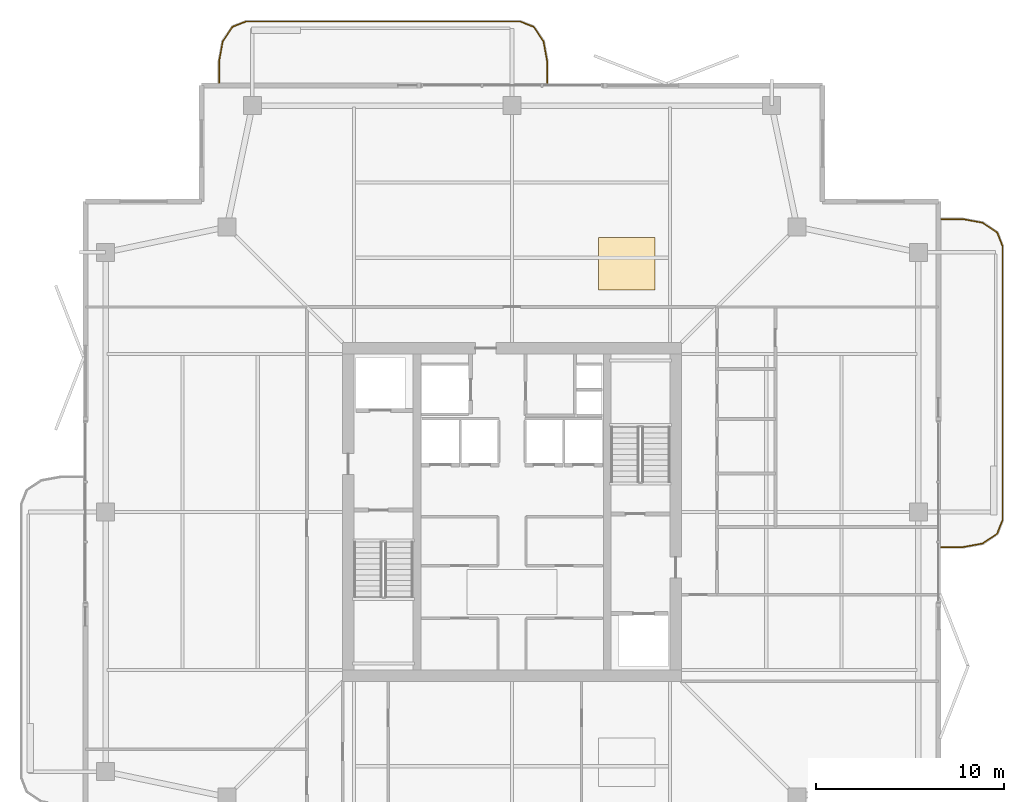
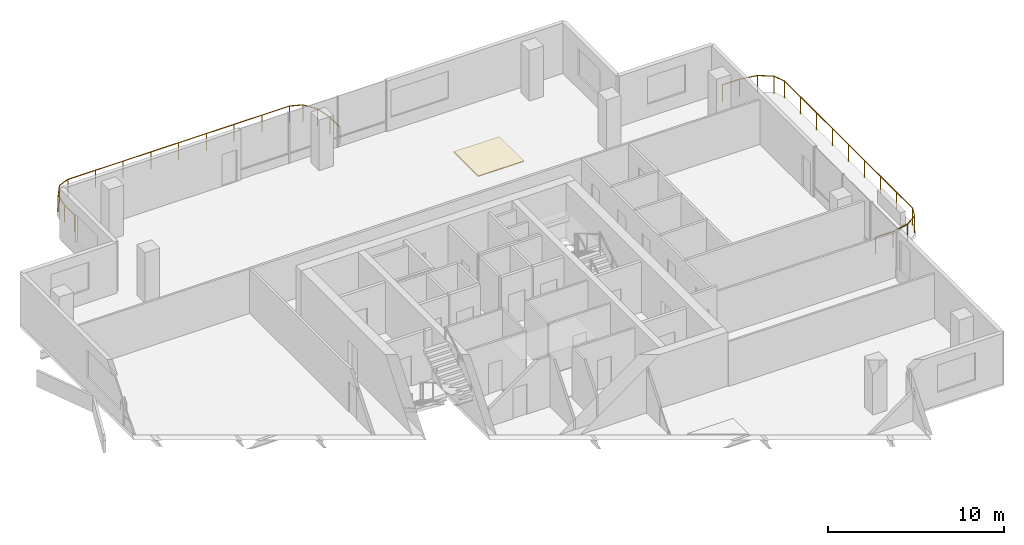
# One storey, part 18 of 18: 2 railings, 1 covering.
"""IFC4 building model written with IfcOpenShell, lengths in metres."""

import ifcopenshell
import ifcopenshell.guid

model = None  # the IFC model being written
_history = None  # IfcOwnerHistory: only IFC2X3 demands one
_inside = {}  # id of a spatial element -> (the spatial element, [elements in it])
_under = {}  # id of a project, library or spatial element -> (it, [spatial elements below it])
_declared = {}  # id of a project -> (the project, [libraries it declares])
_typed = {}  # id of a type object -> (the type object, [elements of that type])
_made_of = {}  # id of a material, layer set ... -> (it, [elements and type objects made of it])


def new_model(schema):
    """Start an empty IFC model of exactly this schema.

    Asked for "IFC4X3", IfcOpenShell would pick the latest addendum, in which some entities
    have other attributes; the version numbers below select the first issue.
    IFC2X3 requires an IfcOwnerHistory on every rooted entity: one is made here for all.
    """
    global model, _history
    if schema == "IFC4X3":
        model = ifcopenshell.file(schema_version=(4, 3, 0, 0))
    else:
        model = ifcopenshell.file(schema=schema)
    _inside.clear()
    _under.clear()
    _declared.clear()
    _typed.clear()
    _made_of.clear()
    _history = None
    if model.schema == "IFC2X3":
        org = make("IfcOrganization", Name="unknown")
        user = make(
            "IfcPersonAndOrganization",
            ThePerson=make("IfcPerson", FamilyName="unknown"),
            TheOrganization=org,
        )
        app = make(
            "IfcApplication",
            ApplicationDeveloper=org,
            Version="unknown",
            ApplicationFullName="unknown",
            ApplicationIdentifier="unknown",
        )
        _history = make(
            "IfcOwnerHistory",
            OwningUser=user,
            OwningApplication=app,
            ChangeAction="ADDED",
            CreationDate=0,
        )
    return model


def make(cls, **values):
    """One entity of the class cls with the attributes given. An attribute that is None is left unset."""
    return model.create_entity(
        cls, **{name: value for name, value in values.items() if value is not None}
    )


def rooted(cls, **values):
    """An entity with a GlobalId (a new one), such as an element, a storey or a relation."""
    return make(cls, GlobalId=ifcopenshell.guid.new(), OwnerHistory=_history, **values)


def si_unit(unit_type, name, prefix=None):
    """IfcSIUnit, for example si_unit("LENGTHUNIT", "METRE", prefix="MILLI")."""
    return make("IfcSIUnit", UnitType=unit_type, Prefix=prefix, Name=name)


def assignment(units):
    """IfcUnitAssignment: the units of a project."""
    return None if units is None else make("IfcUnitAssignment", Units=units)


def point(xyz):
    """IfcCartesianPoint."""
    return None if xyz is None else make("IfcCartesianPoint", Coordinates=xyz)


def direction(xyz):
    """IfcDirection."""
    return None if xyz is None else make("IfcDirection", DirectionRatios=xyz)


def frame(location, z_axis=None, x_axis=None):
    """IfcAxis2Placement3D, a coordinate frame: its origin and axes. An axis left out is left unset."""
    return make(
        "IfcAxis2Placement3D",
        Location=point(location),
        Axis=direction(z_axis),
        RefDirection=direction(x_axis),
    )


def frame_2d(location, x_axis=None):
    """IfcAxis2Placement2D, a coordinate frame in the plane: its origin and x axis."""
    return make(
        "IfcAxis2Placement2D", Location=point(location), RefDirection=direction(x_axis)
    )


def origin():
    """The frame at (0, 0, 0) with its axes left unset."""
    return frame((0.0, 0.0, 0.0))


def origin_2d():
    """The frame at (0, 0) in the plane with its x axis left unset."""
    return frame_2d((0.0, 0.0))


def place(relative_to, where):
    """IfcLocalPlacement: puts the frame where relative to a parent placement (None: the world)."""
    return make(
        "IfcLocalPlacement", PlacementRelTo=relative_to, RelativePlacement=where
    )


def context(
    kind, dimensions, precision=None, world=None, true_north=None, identifier=None
):
    """IfcGeometricRepresentationContext, for example the 3D "Model" context."""
    return make(
        "IfcGeometricRepresentationContext",
        ContextIdentifier=identifier,
        ContextType=kind,
        CoordinateSpaceDimension=dimensions,
        Precision=precision,
        WorldCoordinateSystem=world,
        TrueNorth=true_north,
    )


def subcontext(parent, identifier, kind, view, scale=None):
    """IfcGeometricRepresentationSubContext, for example "Body" below "Model"."""
    return make(
        "IfcGeometricRepresentationSubContext",
        ContextIdentifier=identifier,
        ContextType=kind,
        ParentContext=parent,
        TargetScale=scale,
        TargetView=view,
    )


def project(units=None, contexts=None):
    """IfcProject with its units and contexts."""
    return rooted(
        "IfcProject",
        Name="project",
        RepresentationContexts=contexts,
        UnitsInContext=assignment(units),
    )


def spatial(cls, under=None, at=None, **own):
    """A site, building, storey or space (cls), placed at a placement, below another one or the project."""
    s = rooted(cls, ObjectPlacement=at, **own)
    if under is not None:
        _under.setdefault(under.id(), (under, []))[1].append(s)
    return s


def polyline(points):
    """IfcPolyline through the points."""
    return make("IfcPolyline", Points=[point(p) for p in points])


def profile(cls, at=None, kind="AREA", **sizes):
    """A parametric profile (cls). Its sizes go by their IFC names, for example OverallWidth=200.0."""
    return make(cls, ProfileType=kind, Position=at, **sizes)


def rectangle(**sizes):
    """IfcRectangleProfileDef."""
    return profile("IfcRectangleProfileDef", **sizes)


def outline(outer, holes=None, kind="AREA"):
    """IfcArbitraryClosedProfileDef: a profile drawn as a closed curve; with holes, ...WithVoids."""
    if holes is None:
        return make("IfcArbitraryClosedProfileDef", ProfileType=kind, OuterCurve=outer)
    return make(
        "IfcArbitraryProfileDefWithVoids",
        ProfileType=kind,
        OuterCurve=outer,
        InnerCurves=holes,
    )


def extrude(swept, where, along, depth):
    """IfcExtrudedAreaSolid: the profile swept, set in the frame where, extruded along a direction by depth."""
    return make(
        "IfcExtrudedAreaSolid",
        SweptArea=swept,
        Position=where,
        ExtrudedDirection=direction(along),
        Depth=depth,
    )


def shape(context_of_items, identifier, shape_type, items):
    """IfcShapeRepresentation: the items that make up one representation, for example the "Body"."""
    return make(
        "IfcShapeRepresentation",
        ContextOfItems=context_of_items,
        RepresentationIdentifier=identifier,
        RepresentationType=shape_type,
        Items=items,
    )


def material(Name=None, Category=None):
    """IfcMaterial."""
    return make("IfcMaterial", Name=Name, Category=Category)


def layer(
    of_material, thickness, ventilated=None, Name=None, Category=None, Priority=None
):
    """IfcMaterialLayer: one layer of a wall or slab, of a material (None: an air gap)."""
    return make(
        "IfcMaterialLayer",
        Material=of_material,
        LayerThickness=thickness,
        IsVentilated=ventilated,
        Name=Name,
        Category=Category,
        Priority=Priority,
    )


def layer_set(layers, Name=None):
    """IfcMaterialLayerSet."""
    return make("IfcMaterialLayerSet", MaterialLayers=layers, LayerSetName=Name)


def made_of(thing, what):
    """Note that an element or type object is made of a material, layer set ...; save() writes the relation."""
    if what is not None:
        _made_of.setdefault(what.id(), (what, []))[1].append(thing)
    return thing


def type_object(cls, material=None, **own):
    """A type object (cls), such as IfcWallType, which elements share."""
    return made_of(rooted(cls, **own), material)


def element(
    cls,
    number,
    at=None,
    inside=None,
    cuts=None,
    type_object=None,
    material=None,
    context=None,
    identifier="Body",
    shape_type=None,
    held_by="IfcProductDefinitionShape",
    body=None,
    shapes=None,
    **own,
):
    """One element of the class cls, such as IfcWall. Its Tag is "e" and its number.

    at: its placement. inside: the storey or other place that contains it. cuts: it is an
    opening in that element (IfcRelVoidsElement). A single representation is given by context,
    identifier, shape_type and body (its items); several are given by shapes. held_by: the class
    of the entity that holds the representations. save() writes the other relations.
    """
    e = rooted(cls, Tag="e%d" % number, ObjectPlacement=at, **own)
    if body is not None:
        shapes = [shape(context, identifier, shape_type, body)]
    if shapes is not None:
        e.Representation = make(held_by, Representations=shapes)
    if inside is not None:
        _inside.setdefault(inside.id(), (inside, []))[1].append(e)
    if cuts is not None:
        rooted(
            "IfcRelVoidsElement", RelatingBuildingElement=cuts, RelatedOpeningElement=e
        )
    if type_object is not None:
        _typed.setdefault(type_object.id(), (type_object, []))[1].append(e)
    return made_of(e, material)


def aggregate(whole, parts):
    """IfcRelAggregates: a whole, such as a stair, and the parts it consists of."""
    return rooted("IfcRelAggregates", RelatingObject=whole, RelatedObjects=parts)


def save(model, path):
    """Write the relations noted so far, then the file.

    IfcRelAggregates (storeys below a building ...), IfcRelContainedInSpatialStructure (elements
    in a storey), IfcRelDefinesByType, IfcRelAssociatesMaterial and IfcRelDeclares: one each for
    every whole, place, type object, material and project.
    """
    for whole, parts in _under.values():
        aggregate(whole, parts)
    for where, things in _inside.values():
        rooted(
            "IfcRelContainedInSpatialStructure",
            RelatedElements=things,
            RelatingStructure=where,
        )
    for kind, things in _typed.values():
        rooted("IfcRelDefinesByType", RelatedObjects=things, RelatingType=kind)
    for what, things in _made_of.values():
        rooted("IfcRelAssociatesMaterial", RelatedObjects=things, RelatingMaterial=what)
    for by, libraries in _declared.values():
        rooted("IfcRelDeclares", RelatingContext=by, RelatedDefinitions=libraries)
    model.write(path)


model = new_model("IFC4")

# Units and contexts
model_context = context("Model", 3, precision=1e-05, world=origin(), true_north=direction((0.0, 1.0)))
body_context = subcontext(model_context, "Body", "Model", "MODEL_VIEW")
ifc_project = project(units=[si_unit("LENGTHUNIT", "METRE"), si_unit("AREAUNIT", "SQUARE_METRE"), si_unit("VOLUMEUNIT", "CUBIC_METRE"), si_unit("PLANEANGLEUNIT", "RADIAN"), si_unit("MASSUNIT", "GRAM", prefix="KILO")], contexts=[model_context])

# Site, building, storey
site_placement = place(None, origin())
site = spatial("IfcSite", under=ifc_project, at=site_placement, CompositionType="ELEMENT")
building_placement = place(site_placement, origin())
building = spatial("IfcBuilding", under=site, at=building_placement, Name="Belovzor Exchange Tower", CompositionType="ELEMENT")
storey_placement = place(building_placement, frame((0.0, 0.0, 310.5)))
storey = spatial("IfcBuildingStorey", under=building, at=storey_placement, Name="L77", CompositionType="ELEMENT", Elevation=310.5)

# Railings
ifc_material_1 = material(Name="Stainless Steel and Laminated Safety Glass", Category="steel")
railing_type = type_object("IfcRailingType", Name="Laminated Glass & Stainless Steel Balcony Balustrade 1200", PredefinedType="BALUSTRADE", material=ifc_material_1)
railing_1_placement = place(storey_placement, frame((30.669921875, 51.610107421875, 0.0)))
element("IfcRailing", 1, at=railing_1_placement, inside=storey, type_object=railing_type, Name="GR-1 Balcony Balustrade L77 North", PredefinedType="BALUSTRADE", context=body_context, shape_type="SweptSolid", body=[
    extrude(rectangle(XDim=0.048095703125, YDim=0.048095703125, at=origin_2d()), frame((0.0, 0.0, 1.17578125), z_axis=(0.0, 1.0, 0.0), x_axis=(-1.0, 0.0, 0.0)), (0.0, 0.0, 1.0), 1.1328125),
    extrude(rectangle(XDim=0.048095703125, YDim=0.048095703125, at=origin_2d()), frame((0.0, 1.1328125, 1.17578125), z_axis=(-0.180083182347, 0.983651385113, 0.0), x_axis=(-0.983651385113, -0.180083182347, 0.0)), (0.0, 0.0, 1.0), 1.093994140625),
    extrude(rectangle(XDim=0.048095703125, YDim=0.048095703125, at=origin_2d()), frame((-0.197021484375, 2.208984375, 1.17578125), z_axis=(-0.562768145367, 0.826614792125, 0.0), x_axis=(-0.826614792125, -0.562768145367, 0.0)), (0.0, 0.0, 1.0), 0.9326171875),
    extrude(rectangle(XDim=0.048095703125, YDim=0.048095703125, at=origin_2d()), frame((-0.721923828125, 2.97998046875, 1.17578125), z_axis=(-0.930766990125, 0.365612923861, 0.0), x_axis=(-0.365612923861, -0.930766990125, 0.0)), (0.0, 0.0, 1.0), 0.765869140625),
    extrude(rectangle(XDim=0.048095703125, YDim=0.048095703125, at=origin_2d()), frame((-1.434814453125, 3.260009765625, 1.17578125), z_axis=(-1.0, 0.0, 0.0), x_axis=(0.0, -1.0, 0.0)), (0.0, 0.0, 1.0), 14.570068359375),
    extrude(rectangle(XDim=0.048095703125, YDim=0.048095703125, at=origin_2d()), frame((-16.0048828125, 3.260009765625, 1.17578125), z_axis=(-0.930809580156, -0.365504480807, 0.0), x_axis=(0.365504480807, -0.930809580156, 0.0)), (0.0, 0.0, 1.0), 0.76611328125),
    extrude(rectangle(XDim=0.048095703125, YDim=0.048095703125, at=origin_2d()), frame((-16.718017578125, 2.97998046875, 1.17578125), z_axis=(-0.562768145367, -0.826614792125, 0.0), x_axis=(0.826614792125, -0.562768145367, 0.0)), (0.0, 0.0, 1.0), 0.9326171875),
    extrude(rectangle(XDim=0.048095703125, YDim=0.048095703125, at=origin_2d()), frame((-17.242919921875, 2.208984375, 1.17578125), z_axis=(-0.180083182347, -0.983651385113, 0.0), x_axis=(0.983651385113, -0.180083182347, 0.0)), (0.0, 0.0, 1.0), 1.093994140625),
    extrude(rectangle(XDim=0.048095703125, YDim=0.048095703125, at=origin_2d()), frame((-17.43994140625, 1.1328125, 1.17578125), z_axis=(0.0, -1.0, 0.0), x_axis=(1.0, 0.0, 0.0)), (0.0, 0.0, 1.0), 1.1328125),
    extrude(rectangle(XDim=0.0419921875, YDim=0.0419921875, at=origin_2d()), origin(), (0.0, 0.0, 1.0), 1.15185546875),
    extrude(rectangle(XDim=0.0419921875, YDim=0.0419921875, at=origin_2d()), frame((0.0, 1.1328125, 0.0)), (0.0, 0.0, 1.0), 1.15185546875),
    extrude(rectangle(XDim=0.0419921875, YDim=0.0419921875, at=origin_2d()), frame((-0.197021484375, 2.208984375, 0.0)), (0.0, 0.0, 1.0), 1.15185546875),
    extrude(rectangle(XDim=0.0419921875, YDim=0.0419921875, at=origin_2d()), frame((-0.721923828125, 2.97998046875, 0.0)), (0.0, 0.0, 1.0), 1.15185546875),
    extrude(rectangle(XDim=0.0419921875, YDim=0.0419921875, at=origin_2d()), frame((-1.434814453125, 3.260009765625, 0.0)), (0.0, 0.0, 1.0), 1.15185546875),
    extrude(rectangle(XDim=0.0419921875, YDim=0.0419921875, at=origin_2d()), frame((-3.256103515625, 3.260009765625, 0.0)), (0.0, 0.0, 1.0), 1.15185546875),
    extrude(rectangle(XDim=0.0419921875, YDim=0.0419921875, at=origin_2d()), frame((-5.077392578125, 3.260009765625, 0.0)), (0.0, 0.0, 1.0), 1.15185546875),
    extrude(rectangle(XDim=0.0419921875, YDim=0.0419921875, at=origin_2d()), frame((-6.898681640625, 3.260009765625, 0.0)), (0.0, 0.0, 1.0), 1.15185546875),
    extrude(rectangle(XDim=0.0419921875, YDim=0.0419921875, at=origin_2d()), frame((-8.7197265625, 3.260009765625, 0.0)), (0.0, 0.0, 1.0), 1.15185546875),
    extrude(rectangle(XDim=0.0419921875, YDim=0.0419921875, at=origin_2d()), frame((-10.541015625, 3.260009765625, 0.0)), (0.0, 0.0, 1.0), 1.15185546875),
    extrude(rectangle(XDim=0.0419921875, YDim=0.0419921875, at=origin_2d()), frame((-12.3623046875, 3.260009765625, 0.0)), (0.0, 0.0, 1.0), 1.15185546875),
    extrude(rectangle(XDim=0.0419921875, YDim=0.0419921875, at=origin_2d()), frame((-14.18359375, 3.260009765625, 0.0)), (0.0, 0.0, 1.0), 1.15185546875),
    extrude(rectangle(XDim=0.0419921875, YDim=0.0419921875, at=origin_2d()), frame((-16.0048828125, 3.260009765625, 0.0)), (0.0, 0.0, 1.0), 1.15185546875),
    extrude(rectangle(XDim=0.0419921875, YDim=0.0419921875, at=origin_2d()), frame((-16.718017578125, 2.97998046875, 0.0)), (0.0, 0.0, 1.0), 1.15185546875),
    extrude(rectangle(XDim=0.0419921875, YDim=0.0419921875, at=origin_2d()), frame((-17.242919921875, 2.208984375, 0.0)), (0.0, 0.0, 1.0), 1.15185546875),
    extrude(rectangle(XDim=0.0419921875, YDim=0.0419921875, at=origin_2d()), frame((-17.43994140625, 1.1328125, 0.0)), (0.0, 0.0, 1.0), 1.15185546875),
    extrude(rectangle(XDim=0.0419921875, YDim=0.0419921875, at=origin_2d()), frame((-17.43994140625, 0.0, 0.0)), (0.0, 0.0, 1.0), 1.15185546875),
])
railing_2_placement = place(storey_placement, frame((51.610107421875, 26.929931640625, 0.0)))
element("IfcRailing", 2, at=railing_2_placement, inside=storey, type_object=railing_type, Name="GR-1 Balcony Balustrade L77 East", PredefinedType="BALUSTRADE", context=body_context, shape_type="SweptSolid", body=[
    extrude(rectangle(XDim=0.048095703125, YDim=0.048095703125, at=origin_2d()), frame((0.0, 0.0, 1.17578125), z_axis=(1.0, 0.0, 0.0), x_axis=(0.0, 1.0, 0.0)), (0.0, 0.0, 1.0), 1.1328125),
    extrude(rectangle(XDim=0.048095703125, YDim=0.048095703125, at=origin_2d()), frame((1.1328125, 0.0, 1.17578125), z_axis=(0.983651385113, 0.180083182347, 0.0), x_axis=(-0.180083182347, 0.983651385113, 0.0)), (0.0, 0.0, 1.0), 1.093994140625),
    extrude(rectangle(XDim=0.048095703125, YDim=0.048095703125, at=origin_2d()), frame((2.208984375, 0.197021484375, 1.17578125), z_axis=(0.826493025367, 0.56294695933, 0.0), x_axis=(-0.56294695933, 0.826493025367, 0.0)), (0.0, 0.0, 1.0), 0.932861328125),
    extrude(rectangle(XDim=0.048095703125, YDim=0.048095703125, at=origin_2d()), frame((2.97998046875, 0.72216796875, 1.17578125), z_axis=(0.365612923861, 0.930766990125, 0.0), x_axis=(-0.930766990125, 0.365612923861, 0.0)), (0.0, 0.0, 1.0), 0.765869140625),
    extrude(rectangle(XDim=0.048095703125, YDim=0.048095703125, at=origin_2d()), frame((3.260009765625, 1.43505859375, 1.17578125), z_axis=(0.0, 1.0, 0.0), x_axis=(-1.0, 0.0, 0.0)), (0.0, 0.0, 1.0), 14.570068359375),
    extrude(rectangle(XDim=0.048095703125, YDim=0.048095703125, at=origin_2d()), frame((3.260009765625, 16.005126953125, 1.17578125), z_axis=(-0.365612923861, 0.930766990125, 0.0), x_axis=(-0.930766990125, -0.365612923861, 0.0)), (0.0, 0.0, 1.0), 0.765869140625),
    extrude(rectangle(XDim=0.048095703125, YDim=0.048095703125, at=origin_2d()), frame((2.97998046875, 16.718017578125, 1.17578125), z_axis=(-0.826493025367, 0.56294695933, 0.0), x_axis=(-0.56294695933, -0.826493025367, 0.0)), (0.0, 0.0, 1.0), 0.932861328125),
    extrude(rectangle(XDim=0.048095703125, YDim=0.048095703125, at=origin_2d()), frame((2.208984375, 17.2431640625, 1.17578125), z_axis=(-0.983651385113, 0.180083182347, 0.0), x_axis=(-0.180083182347, -0.983651385113, 0.0)), (0.0, 0.0, 1.0), 1.093994140625),
    extrude(rectangle(XDim=0.048095703125, YDim=0.048095703125, at=origin_2d()), frame((1.1328125, 17.440185546875, 1.17578125), z_axis=(-1.0, 0.0, 0.0), x_axis=(0.0, -1.0, 0.0)), (0.0, 0.0, 1.0), 1.1328125),
    extrude(rectangle(XDim=0.0419921875, YDim=0.0419921875, at=origin_2d()), origin(), (0.0, 0.0, 1.0), 1.15185546875),
    extrude(rectangle(XDim=0.0419921875, YDim=0.0419921875, at=origin_2d()), frame((1.1328125, 0.0, 0.0)), (0.0, 0.0, 1.0), 1.15185546875),
    extrude(rectangle(XDim=0.0419921875, YDim=0.0419921875, at=origin_2d()), frame((2.208984375, 0.197021484375, 0.0)), (0.0, 0.0, 1.0), 1.15185546875),
    extrude(rectangle(XDim=0.0419921875, YDim=0.0419921875, at=origin_2d()), frame((2.97998046875, 0.72216796875, 0.0)), (0.0, 0.0, 1.0), 1.15185546875),
    extrude(rectangle(XDim=0.0419921875, YDim=0.0419921875, at=origin_2d()), frame((3.260009765625, 1.43505859375, 0.0)), (0.0, 0.0, 1.0), 1.15185546875),
    extrude(rectangle(XDim=0.0419921875, YDim=0.0419921875, at=origin_2d()), frame((3.260009765625, 3.25634765625, 0.0)), (0.0, 0.0, 1.0), 1.15185546875),
    extrude(rectangle(XDim=0.0419921875, YDim=0.0419921875, at=origin_2d()), frame((3.260009765625, 5.07763671875, 0.0)), (0.0, 0.0, 1.0), 1.15185546875),
    extrude(rectangle(XDim=0.0419921875, YDim=0.0419921875, at=origin_2d()), frame((3.260009765625, 6.89892578125, 0.0)), (0.0, 0.0, 1.0), 1.15185546875),
    extrude(rectangle(XDim=0.0419921875, YDim=0.0419921875, at=origin_2d()), frame((3.260009765625, 8.72021484375, 0.0)), (0.0, 0.0, 1.0), 1.15185546875),
    extrude(rectangle(XDim=0.0419921875, YDim=0.0419921875, at=origin_2d()), frame((3.260009765625, 10.541259765625, 0.0)), (0.0, 0.0, 1.0), 1.15185546875),
    extrude(rectangle(XDim=0.0419921875, YDim=0.0419921875, at=origin_2d()), frame((3.260009765625, 12.362548828125, 0.0)), (0.0, 0.0, 1.0), 1.15185546875),
    extrude(rectangle(XDim=0.0419921875, YDim=0.0419921875, at=origin_2d()), frame((3.260009765625, 14.183837890625, 0.0)), (0.0, 0.0, 1.0), 1.15185546875),
    extrude(rectangle(XDim=0.0419921875, YDim=0.0419921875, at=origin_2d()), frame((3.260009765625, 16.005126953125, 0.0)), (0.0, 0.0, 1.0), 1.15185546875),
    extrude(rectangle(XDim=0.0419921875, YDim=0.0419921875, at=origin_2d()), frame((2.97998046875, 16.718017578125, 0.0)), (0.0, 0.0, 1.0), 1.15185546875),
    extrude(rectangle(XDim=0.0419921875, YDim=0.0419921875, at=origin_2d()), frame((2.208984375, 17.2431640625, 0.0)), (0.0, 0.0, 1.0), 1.15185546875),
    extrude(rectangle(XDim=0.0419921875, YDim=0.0419921875, at=origin_2d()), frame((1.1328125, 17.440185546875, 0.0)), (0.0, 0.0, 1.0), 1.15185546875),
    extrude(rectangle(XDim=0.0419921875, YDim=0.0419921875, at=origin_2d()), frame((0.0, 17.440185546875, 0.0)), (0.0, 0.0, 1.0), 1.15185546875),
])

# Covering
ifc_material_2 = material(Name="Perforated Powder-Coated Aluminium", Category="aluminium")
ifc_layer = layer(ifc_material_2, 0.06005859375)
ifc_layer_set = layer_set([ifc_layer], Name="Perforated Powder-Coated Aluminium")
covering_type = type_object("IfcCoveringType", Name="Perforated Acoustic Metal Tile Suspended Ceiling 60", PredefinedType="CEILING", material=ifc_layer_set)
covering_placement = place(storey_placement, frame((0.0, 0.0, 3.449951171875)))
element("IfcCovering", 3, at=covering_placement, inside=storey, type_object=covering_type, Name="CLG-AC60 Suspended Ceiling CLG-L77-Z2", PredefinedType="CEILING", context=body_context, shape_type="SweptSolid", body=[
    extrude(outline(polyline([(33.39990234375, 40.60009765625), (36.39990234375, 40.60009765625), (36.39990234375, 43.39990234375), (33.39990234375, 43.39990234375), (33.39990234375, 40.60009765625)])), origin(), (0.0, 0.0, 1.0), 0.06005859375),
])

save(model, "model.ifc")
